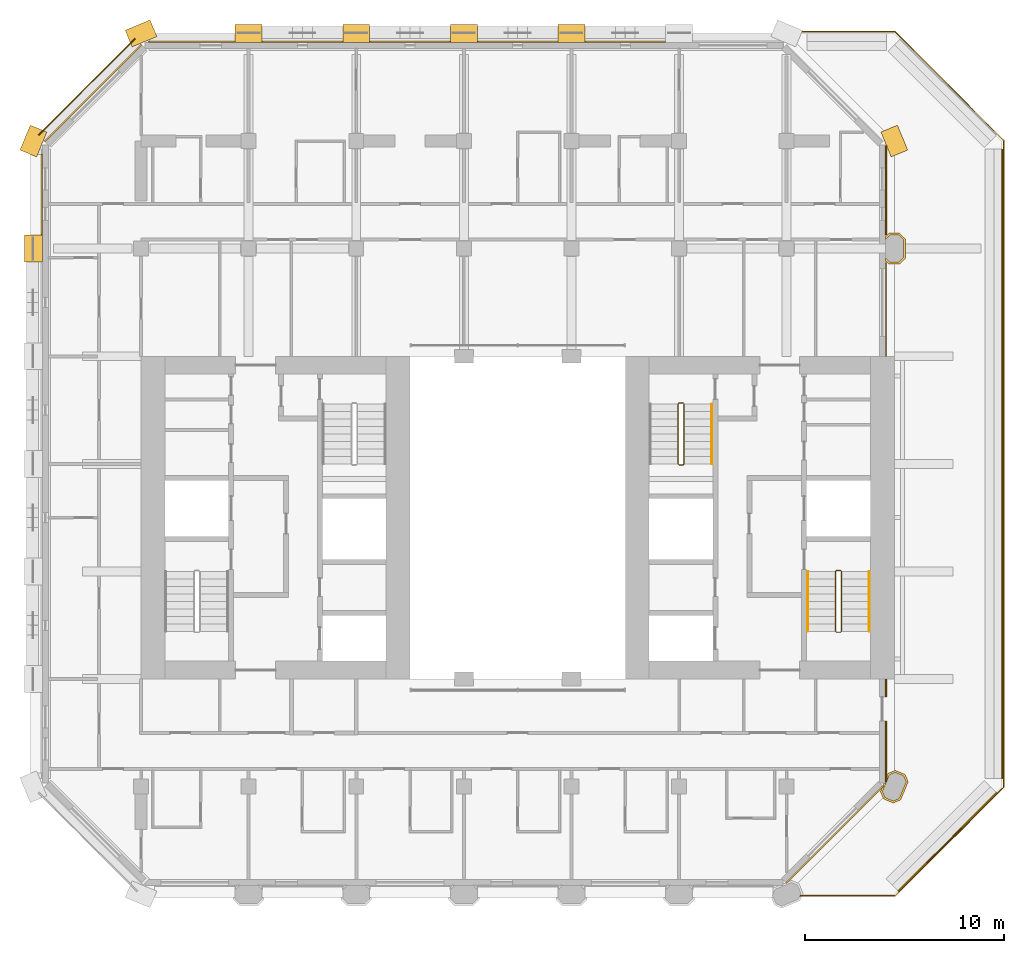
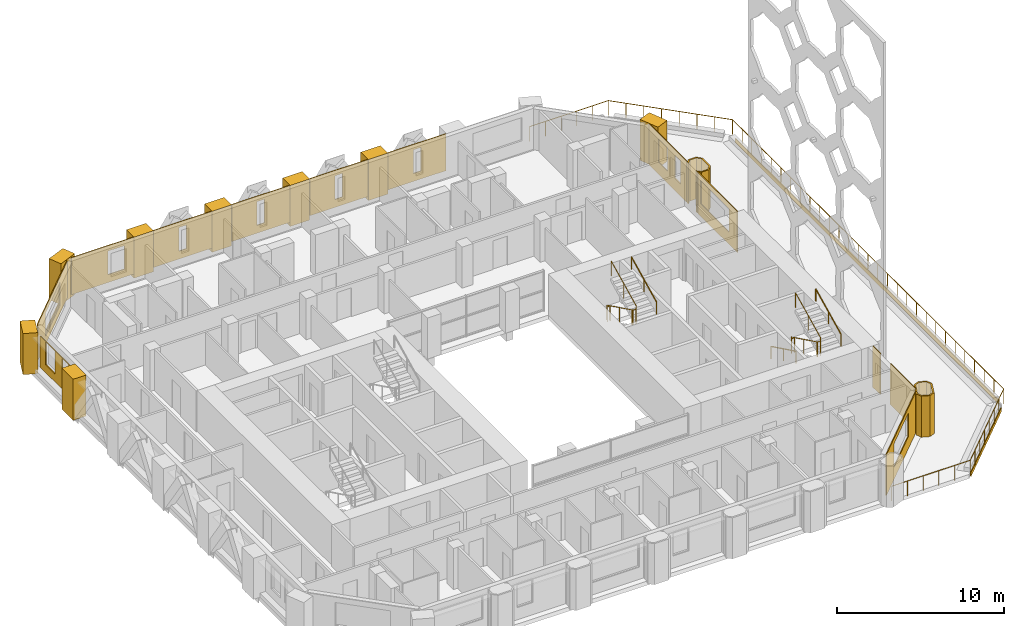
# One storey, part 14 of 15: 25 coverings, 6 railings.
"""IFC4 building model written with IfcOpenShell, lengths in metres."""

from ifc_helpers import new_model, si_unit, direction, frame, frame_2d, origin, origin_2d, place, context, subcontext, project, spatial, polyline, rectangle, circle, outline, extrude, material, layer, layer_set, type_object, element, save


model = new_model("IFC4")

# Units and contexts
model_context = context("Model", 3, precision=1e-05, world=origin(), true_north=direction((0.0, 1.0)))
body_context = subcontext(model_context, "Body", "Model", "MODEL_VIEW")
ifc_project = project(units=[si_unit("LENGTHUNIT", "METRE"), si_unit("AREAUNIT", "SQUARE_METRE"), si_unit("VOLUMEUNIT", "CUBIC_METRE"), si_unit("PLANEANGLEUNIT", "RADIAN"), si_unit("MASSUNIT", "GRAM", prefix="KILO")], contexts=[model_context])

# Site, building, storey
site_placement = place(None, origin())
site = spatial("IfcSite", under=ifc_project, at=site_placement, CompositionType="ELEMENT")
building_placement = place(site_placement, origin())
building = spatial("IfcBuilding", under=site, at=building_placement, Name="Tabaq Tower and Sports Hall", CompositionType="ELEMENT")
storey_placement = place(building_placement, frame((0.0, 0.0, 207.10009765625)))
storey = spatial("IfcBuildingStorey", under=building, at=storey_placement, Name="L51", CompositionType="ELEMENT", Elevation=207.10009765625)

# Coverings
ifc_material_1 = material(Name="Precast concrete C60/75", Category="concrete")
ifc_layer_1 = layer(ifc_material_1, 0.10009765625)
ifc_layer_set_1 = layer_set([ifc_layer_1], Name="Column cladding 100")
covering_type_1 = type_object("IfcCoveringType", Name="Column cladding 100", PredefinedType="CLADDING", material=ifc_layer_set_1)
covering_1_placement = place(storey_placement, origin())
element("IfcCovering", 1, at=covering_1_placement, inside=storey, type_object=covering_type_1, Name="Column cladding L51 PC-9C-H3", PredefinedType="CLADDING", context=body_context, shape_type="SweptSolid", body=[
    extrude(outline(polyline([(42.657470703125, 10.186279296875), (42.504150390625, 10.556396484375), (42.573974609375, 10.72509765625), (42.64990234375, 10.801025390625), (42.618408203125, 10.83251953125), (42.68212890625, 10.986083984375), (42.750244140625, 10.986083984375), (42.750244140625, 11.04296875), (42.810302734375, 11.04296875), (42.810302734375, 11.295654296875), (42.880126953125, 11.46435546875), (43.25048828125, 11.61767578125), (43.742431640625, 11.413818359375), (43.895751953125, 11.04345703125), (43.519775390625, 10.1357421875), (43.149658203125, 9.982421875), (42.657470703125, 10.186279296875)]), holes=[polyline([(43.66650390625, 11.337646484375), (43.25048828125, 11.510009765625), (42.956298828125, 11.38818359375), (42.61181640625, 10.556396484375), (42.733642578125, 10.26220703125), (43.149658203125, 10.08984375), (43.44384765625, 10.2119140625), (43.788330078125, 11.04345703125), (43.66650390625, 11.337646484375)])]), origin(), (0.0, 0.0, 1.0), 3.0),
])
covering_2_placement = place(storey_placement, origin())
element("IfcCovering", 2, at=covering_2_placement, inside=storey, type_object=covering_type_1, Name="Column cladding L51 PC-9H-H3", PredefinedType="CLADDING", context=body_context, shape_type="SweptSolid", body=[
    extrude(outline(polyline([(42.93359375, 37.025390625), (42.750244140625, 37.208740234375), (42.750244140625, 37.349365234375), (42.974853515625, 37.124755859375), (43.425048828125, 37.124755859375), (43.650390625, 37.349853515625), (43.650390625, 38.250244140625), (43.425048828125, 38.475341796875), (42.974853515625, 38.475341796875), (42.750244140625, 38.250732421875), (42.750244140625, 38.391357421875), (42.93359375, 38.57470703125), (43.46630859375, 38.57470703125), (43.749755859375, 38.291259765625), (43.749755859375, 37.30859375), (43.46630859375, 37.025390625), (42.93359375, 37.025390625)])), origin(), (0.0, 0.0, 1.0), 3.0),
])
ifc_material_2 = material(Name="Precast concrete C60/75", Category="concrete")
ifc_layer_2 = layer(ifc_material_2, 0.06005859375)
ifc_layer_set_2 = layer_set([ifc_layer_2], Name="Edge beam cladding 60")
covering_type_2 = type_object("IfcCoveringType", Name="Edge beam cladding 60", PredefinedType="CLADDING", material=ifc_layer_set_2)
covering_3_placement = place(storey_placement, frame((43.39794921875, 5.5556640625, -0.300048828125), z_axis=(0.0, 0.0, 1.0), x_axis=(0.70712425809, 0.707089303851, 0.0)))
element("IfcCovering", 3, at=covering_3_placement, inside=storey, type_object=covering_type_2, Name="Edge beam cladding L51 5", PredefinedType="CLADDING", context=body_context, shape_type="SweptSolid", body=[
    extrude(rectangle(XDim=6.984619140625, YDim=0.06005859375, at=frame_2d((3.4921875, 0.0))), origin(), (0.0, 0.0, 1.0), 0.300048828125),
])
covering_4_placement = place(storey_placement, frame((48.6298828125, 11.2021484375, -0.300048828125), z_axis=(0.0, 0.0, 1.0), x_axis=(0.0, 1.0, 0.0)))
element("IfcCovering", 4, at=covering_4_placement, inside=storey, type_object=covering_type_2, Name="Edge beam cladding L51 6", PredefinedType="CLADDING", context=body_context, shape_type="SweptSolid", body=[
    extrude(rectangle(XDim=31.595703125, YDim=0.06005859375, at=frame_2d((15.7978515625, 0.0))), origin(), (0.0, 0.0, 1.0), 0.300048828125),
])
covering_5_placement = place(storey_placement, frame((5.094482421875, 48.3369140625, -0.300048828125), z_axis=(0.0, 0.0, 1.0), x_axis=(-0.707106781187, -0.707106781187, 0.0)))
element("IfcCovering", 5, at=covering_5_placement, inside=storey, type_object=covering_type_2, Name="Edge beam cladding L51 2", PredefinedType="CLADDING", context=body_context, shape_type="SweptSolid", body=[
    extrude(rectangle(XDim=6.83251953125, YDim=0.06005859375, at=frame_2d((3.416259765625, 0.0))), origin(), (0.0, 0.0, 1.0), 0.300048828125),
])

# Railing
ifc_material_3 = material(Name="Stainless steel S316 and laminated glass", Category="steel")
railing_type_1 = type_object("IfcRailingType", Name="Guard 1100 steel and glass", PredefinedType="GUARDRAIL", material=ifc_material_3)
railing_1_placement = place(storey_placement, frame((37.800048828125, 48.679931640625, 0.0)))
element("IfcRailing", 6, at=railing_1_placement, inside=storey, type_object=railing_type_1, Name="Terrace guard L51", PredefinedType="GUARDRAIL", context=body_context, shape_type="SweptSolid", body=[
    extrude(circle(Radius=0.02490234375, at=origin_2d()), frame((0.0, 0.0, 1.0751953125), z_axis=(1.0, 0.0, 0.0), x_axis=(0.0, 1.0, 0.0)), (0.0, 0.0, 1.0), 5.43310546875),
    extrude(circle(Radius=0.02490234375, at=origin_2d()), frame((5.43310546875, 0.0, 1.0751953125), z_axis=(0.707106781187, -0.707106781187, 0.0), x_axis=(0.707106781187, 0.707106781187, 0.0)), (0.0, 0.0, 1.0), 7.702880859375),
    extrude(circle(Radius=0.02490234375, at=origin_2d()), frame((10.8798828125, -5.44677734375, 1.0751953125), z_axis=(0.0, -1.0, 0.0), x_axis=(1.0, 0.0, 0.0)), (0.0, 0.0, 1.0), 32.46630859375),
    extrude(circle(Radius=0.02490234375, at=origin_2d()), frame((10.8798828125, -37.9130859375, 1.0751953125), z_axis=(-0.707106781187, -0.707106781187, 0.0), x_axis=(0.707106781187, -0.707106781187, 0.0)), (0.0, 0.0, 1.0), 7.702880859375),
    extrude(circle(Radius=0.02490234375, at=origin_2d()), frame((5.43310546875, -43.35986328125, 1.0751953125), z_axis=(-1.0, 0.0, 0.0), x_axis=(0.0, -1.0, 0.0)), (0.0, 0.0, 1.0), 5.43310546875),
    extrude(circle(Radius=0.02001953125, at=origin_2d()), origin(), (0.0, 0.0, 1.0), 1.050048828125),
    extrude(circle(Radius=0.02001953125, at=origin_2d()), frame((1.086669921875, 0.0, 0.0)), (0.0, 0.0, 1.0), 1.050048828125),
    extrude(circle(Radius=0.02001953125, at=origin_2d()), frame((2.17333984375, 0.0, 0.0)), (0.0, 0.0, 1.0), 1.050048828125),
    extrude(circle(Radius=0.02001953125, at=origin_2d()), frame((3.259765625, 0.0, 0.0)), (0.0, 0.0, 1.0), 1.050048828125),
    extrude(circle(Radius=0.02001953125, at=origin_2d()), frame((4.346435546875, 0.0, 0.0)), (0.0, 0.0, 1.0), 1.050048828125),
    extrude(circle(Radius=0.02001953125, at=origin_2d()), frame((5.43310546875, 0.0, 0.0)), (0.0, 0.0, 1.0), 1.050048828125),
    extrude(circle(Radius=0.02001953125, at=origin_2d()), frame((6.211181640625, -0.778076171875, 0.0)), (0.0, 0.0, 1.0), 1.050048828125),
    extrude(circle(Radius=0.02001953125, at=origin_2d()), frame((6.9892578125, -1.55615234375, 0.0)), (0.0, 0.0, 1.0), 1.050048828125),
    extrude(circle(Radius=0.02001953125, at=origin_2d()), frame((7.767333984375, -2.334228515625, 0.0)), (0.0, 0.0, 1.0), 1.050048828125),
    extrude(circle(Radius=0.02001953125, at=origin_2d()), frame((8.545654296875, -3.112548828125, 0.0)), (0.0, 0.0, 1.0), 1.050048828125),
    extrude(circle(Radius=0.02001953125, at=origin_2d()), frame((9.32373046875, -3.890625, 0.0)), (0.0, 0.0, 1.0), 1.050048828125),
    extrude(circle(Radius=0.02001953125, at=origin_2d()), frame((10.101806640625, -4.668701171875, 0.0)), (0.0, 0.0, 1.0), 1.050048828125),
    extrude(circle(Radius=0.02001953125, at=origin_2d()), frame((10.8798828125, -5.44677734375, 0.0)), (0.0, 0.0, 1.0), 1.050048828125),
    extrude(circle(Radius=0.02001953125, at=origin_2d()), frame((10.8798828125, -6.606201171875, 0.0)), (0.0, 0.0, 1.0), 1.050048828125),
    extrude(circle(Radius=0.02001953125, at=origin_2d()), frame((10.8798828125, -7.765869140625, 0.0)), (0.0, 0.0, 1.0), 1.050048828125),
    extrude(circle(Radius=0.02001953125, at=origin_2d()), frame((10.8798828125, -8.92529296875, 0.0)), (0.0, 0.0, 1.0), 1.050048828125),
    extrude(circle(Radius=0.02001953125, at=origin_2d()), frame((10.8798828125, -10.084716796875, 0.0)), (0.0, 0.0, 1.0), 1.050048828125),
    extrude(circle(Radius=0.02001953125, at=origin_2d()), frame((10.8798828125, -11.244384765625, 0.0)), (0.0, 0.0, 1.0), 1.050048828125),
    extrude(circle(Radius=0.02001953125, at=origin_2d()), frame((10.8798828125, -12.40380859375, 0.0)), (0.0, 0.0, 1.0), 1.050048828125),
    extrude(circle(Radius=0.02001953125, at=origin_2d()), frame((10.8798828125, -13.5634765625, 0.0)), (0.0, 0.0, 1.0), 1.050048828125),
    extrude(circle(Radius=0.02001953125, at=origin_2d()), frame((10.8798828125, -14.722900390625, 0.0)), (0.0, 0.0, 1.0), 1.050048828125),
    extrude(circle(Radius=0.02001953125, at=origin_2d()), frame((10.8798828125, -15.88232421875, 0.0)), (0.0, 0.0, 1.0), 1.050048828125),
    extrude(circle(Radius=0.02001953125, at=origin_2d()), frame((10.8798828125, -17.0419921875, 0.0)), (0.0, 0.0, 1.0), 1.050048828125),
    extrude(circle(Radius=0.02001953125, at=origin_2d()), frame((10.8798828125, -18.201416015625, 0.0)), (0.0, 0.0, 1.0), 1.050048828125),
    extrude(circle(Radius=0.02001953125, at=origin_2d()), frame((10.8798828125, -19.36083984375, 0.0)), (0.0, 0.0, 1.0), 1.050048828125),
    extrude(circle(Radius=0.02001953125, at=origin_2d()), frame((10.8798828125, -20.5205078125, 0.0)), (0.0, 0.0, 1.0), 1.050048828125),
    extrude(circle(Radius=0.02001953125, at=origin_2d()), frame((10.8798828125, -21.679931640625, 0.0)), (0.0, 0.0, 1.0), 1.050048828125),
    extrude(circle(Radius=0.02001953125, at=origin_2d()), frame((10.8798828125, -22.83935546875, 0.0)), (0.0, 0.0, 1.0), 1.050048828125),
    extrude(circle(Radius=0.02001953125, at=origin_2d()), frame((10.8798828125, -23.9990234375, 0.0)), (0.0, 0.0, 1.0), 1.050048828125),
    extrude(circle(Radius=0.02001953125, at=origin_2d()), frame((10.8798828125, -25.158447265625, 0.0)), (0.0, 0.0, 1.0), 1.050048828125),
    extrude(circle(Radius=0.02001953125, at=origin_2d()), frame((10.8798828125, -26.31787109375, 0.0)), (0.0, 0.0, 1.0), 1.050048828125),
    extrude(circle(Radius=0.02001953125, at=origin_2d()), frame((10.8798828125, -27.4775390625, 0.0)), (0.0, 0.0, 1.0), 1.050048828125),
    extrude(circle(Radius=0.02001953125, at=origin_2d()), frame((10.8798828125, -28.636962890625, 0.0)), (0.0, 0.0, 1.0), 1.050048828125),
    extrude(circle(Radius=0.02001953125, at=origin_2d()), frame((10.8798828125, -29.79638671875, 0.0)), (0.0, 0.0, 1.0), 1.050048828125),
    extrude(circle(Radius=0.02001953125, at=origin_2d()), frame((10.8798828125, -30.9560546875, 0.0)), (0.0, 0.0, 1.0), 1.050048828125),
    extrude(circle(Radius=0.02001953125, at=origin_2d()), frame((10.8798828125, -32.115478515625, 0.0)), (0.0, 0.0, 1.0), 1.050048828125),
    extrude(circle(Radius=0.02001953125, at=origin_2d()), frame((10.8798828125, -33.275146484375, 0.0)), (0.0, 0.0, 1.0), 1.050048828125),
    extrude(circle(Radius=0.02001953125, at=origin_2d()), frame((10.8798828125, -34.4345703125, 0.0)), (0.0, 0.0, 1.0), 1.050048828125),
    extrude(circle(Radius=0.02001953125, at=origin_2d()), frame((10.8798828125, -35.593994140625, 0.0)), (0.0, 0.0, 1.0), 1.050048828125),
    extrude(circle(Radius=0.02001953125, at=origin_2d()), frame((10.8798828125, -36.753662109375, 0.0)), (0.0, 0.0, 1.0), 1.050048828125),
    extrude(circle(Radius=0.02001953125, at=origin_2d()), frame((10.8798828125, -37.9130859375, 0.0)), (0.0, 0.0, 1.0), 1.050048828125),
    extrude(circle(Radius=0.02001953125, at=origin_2d()), frame((10.101806640625, -38.691162109375, 0.0)), (0.0, 0.0, 1.0), 1.050048828125),
    extrude(circle(Radius=0.02001953125, at=origin_2d()), frame((9.32373046875, -39.46923828125, 0.0)), (0.0, 0.0, 1.0), 1.050048828125),
    extrude(circle(Radius=0.02001953125, at=origin_2d()), frame((8.545654296875, -40.247314453125, 0.0)), (0.0, 0.0, 1.0), 1.050048828125),
    extrude(circle(Radius=0.02001953125, at=origin_2d()), frame((7.767333984375, -41.025634765625, 0.0)), (0.0, 0.0, 1.0), 1.050048828125),
    extrude(circle(Radius=0.02001953125, at=origin_2d()), frame((6.9892578125, -41.8037109375, 0.0)), (0.0, 0.0, 1.0), 1.050048828125),
    extrude(circle(Radius=0.02001953125, at=origin_2d()), frame((6.211181640625, -42.581787109375, 0.0)), (0.0, 0.0, 1.0), 1.050048828125),
    extrude(circle(Radius=0.02001953125, at=origin_2d()), frame((5.43310546875, -43.35986328125, 0.0)), (0.0, 0.0, 1.0), 1.050048828125),
    extrude(circle(Radius=0.02001953125, at=origin_2d()), frame((4.346435546875, -43.35986328125, 0.0)), (0.0, 0.0, 1.0), 1.050048828125),
    extrude(circle(Radius=0.02001953125, at=origin_2d()), frame((3.259765625, -43.35986328125, 0.0)), (0.0, 0.0, 1.0), 1.050048828125),
    extrude(circle(Radius=0.02001953125, at=origin_2d()), frame((2.17333984375, -43.35986328125, 0.0)), (0.0, 0.0, 1.0), 1.050048828125),
    extrude(circle(Radius=0.02001953125, at=origin_2d()), frame((1.086669921875, -43.35986328125, 0.0)), (0.0, 0.0, 1.0), 1.050048828125),
    extrude(circle(Radius=0.02001953125, at=origin_2d()), frame((0.0, -43.35986328125, 0.0)), (0.0, 0.0, 1.0), 1.050048828125),
])

# Coverings
ifc_material_4 = material(Name="White precast concrete C60/75", Category="concrete")
covering_type_3 = type_object("IfcCoveringType", Name="Pier cladding hung 1350x900", PredefinedType="CLADDING", material=ifc_material_4)
for number, where, z_axis, x_axis, name in (
    (7, (0.0, 38.47509765625, 0.0), (0.0, 0.0, 1.0), (0.0, -1.0, 0.0), "Hung pier cladding 0/7"),
    (8, (0.25830078125, 43.82373046875, 0.0), (0.0, 0.0, 1.0), (-0.382649923473, -0.923893411637, 0.0), "Hung pier cladding 0/8"),
    (9, (6.023681640625, 48.8583984375, 0.0), (0.0, 0.0, 1.0), (-0.923893411637, -0.382649923473, 0.0), "Hung pier cladding 1/9"),
    (10, (11.47509765625, 48.60009765625, 0.0), (0.0, 0.0, 1.0), (-1.0, 0.0, 0.0), "Hung pier cladding 2/9"),
    (11, (16.875, 48.60009765625, 0.0), (0.0, 0.0, 1.0), (-1.0, 0.0, 0.0), "Hung pier cladding 3/9"),
):
    element("IfcCovering", number, at=place(storey_placement, frame(where, z_axis=z_axis, x_axis=x_axis)), inside=storey, type_object=covering_type_3, Name=name, PredefinedType="CLADDING", context=body_context, shape_type="SweptSolid", body=[
        extrude(rectangle(XDim=1.35009765625, YDim=0.89990234375, at=frame_2d((0.675048828125, 0.0))), origin(), (0.0, 0.0, 1.0), 3.0),
    ])
covering_6_placement = place(storey_placement, frame((22.27490234375, 48.60009765625, 0.0), z_axis=(0.0, 0.0, 1.0), x_axis=(-1.0, 0.0, 0.0)))
element("IfcCovering", 12, at=covering_6_placement, inside=storey, type_object=covering_type_3, Name="Hung pier cladding 4/9", PredefinedType="CLADDING", context=body_context, shape_type="SweptSolid", body=[
    extrude(rectangle(XDim=1.349853515625, YDim=0.89990234375, at=frame_2d((0.6748046875, 0.0))), origin(), (0.0, 0.0, 1.0), 3.0),
])
for number, where, z_axis, x_axis, name in (
    (13, (27.675048828125, 48.60009765625, 0.0), (0.0, 0.0, 1.0), (-1.0, 0.0, 0.0), "Hung pier cladding 5/9"),
    (14, (43.458251953125, 42.576416015625, 0.0), (0.0, 0.0, 1.0), (-0.382649923473, 0.923893411637, 0.0), "Hung pier cladding 8/8"),
):
    element("IfcCovering", number, at=place(storey_placement, frame(where, z_axis=z_axis, x_axis=x_axis)), inside=storey, type_object=covering_type_3, Name=name, PredefinedType="CLADDING", context=body_context, shape_type="SweptSolid", body=[
        extrude(rectangle(XDim=1.35009765625, YDim=0.89990234375, at=frame_2d((0.675048828125, 0.0))), origin(), (0.0, 0.0, 1.0), 3.0),
    ])

# Railings
ifc_material_5 = material(Name="Stainless steel", Category="steel")
railing_type_2 = type_object("IfcRailingType", Name="Stair guard", PredefinedType="GUARDRAIL", material=ifc_material_5)
railing_2_placement = place(storey_placement, frame((40.5, 21.64990234375, 0.0)))
element("IfcRailing", 15, at=railing_2_placement, inside=storey, type_object=railing_type_2, Name="L51 ST3 stair guard 1", PredefinedType="GUARDRAIL", context=body_context, shape_type="SweptSolid", body=[
    extrude(circle(Radius=0.02392578125, at=origin_2d()), frame((0.0, 0.0, 1.076171875), z_axis=(-1.0, 0.0, 0.0), x_axis=(0.0, -1.0, 0.0)), (0.0, 0.0, 1.0), 0.199951171875),
    extrude(circle(Radius=0.02392578125, at=origin_2d()), frame((-0.199951171875, 0.0, 1.076171875), z_axis=(-0.254733673405, -0.25349107012, 0.933195066962), x_axis=(0.705375805398, -0.708833529934, 0.0)), (0.0, 0.0, 1.0), 0.196533203125),
    extrude(circle(Radius=0.02392578125, at=origin_2d()), frame((-0.25, -0.0498046875, 1.25927734375), z_axis=(0.0, -0.898397823093, 0.439182594671), x_axis=(1.0, 0.0, 0.0)), (0.0, 0.0, 1.0), 3.33935546875),
    extrude(circle(Radius=0.02392578125, at=origin_2d()), frame((-0.25, -3.0498046875, 2.72607421875), z_axis=(0.707106781187, -0.707106781187, 0.0), x_axis=(0.707106781187, 0.707106781187, 0.0)), (0.0, 0.0, 1.0), 0.07080078125),
    extrude(circle(Radius=0.02392578125, at=origin_2d()), frame((-0.199951171875, -3.099853515625, 2.72607421875), z_axis=(1.0, 0.0, 0.0), x_axis=(0.0, 1.0, 0.0)), (0.0, 0.0, 1.0), 0.199951171875),
    extrude(circle(Radius=0.02392578125, at=origin_2d()), frame((0.0, -3.099853515625, 2.72607421875), z_axis=(0.254653276557, 0.254653276557, 0.932900539971), x_axis=(-0.707106781187, 0.707106781187, 0.0)), (0.0, 0.0, 1.0), 0.196533203125),
    extrude(circle(Radius=0.02392578125, at=origin_2d()), frame((0.050048828125, -3.0498046875, 2.9091796875), z_axis=(0.0, 0.898397823093, 0.439182594671), x_axis=(-1.0, 0.0, 0.0)), (0.0, 0.0, 1.0), 3.33935546875),
    extrude(circle(Radius=0.02099609375, at=origin_2d()), origin(), (0.0, 0.0, 1.0), 1.052001953125),
    extrude(circle(Radius=0.02099609375, at=origin_2d()), frame((-0.199951171875, 0.0, 0.0)), (0.0, 0.0, 1.0), 1.052001953125),
    extrude(circle(Radius=0.02099609375, at=origin_2d()), frame((-0.25, -0.0498046875, 0.183349609375)), (0.0, 0.0, 1.0), 1.052001953125),
    extrude(circle(Radius=0.02099609375, at=origin_2d()), frame((-0.25, -1.5498046875, 0.91650390625)), (0.0, 0.0, 1.0), 1.052001953125),
    extrude(circle(Radius=0.02099609375, at=origin_2d()), frame((-0.25, -3.0498046875, 1.64990234375)), (0.0, 0.0, 1.0), 1.052001953125),
    extrude(circle(Radius=0.02099609375, at=origin_2d()), frame((-0.199951171875, -3.099853515625, 1.64990234375)), (0.0, 0.0, 1.0), 1.052001953125),
    extrude(circle(Radius=0.02099609375, at=origin_2d()), frame((0.0, -3.099853515625, 1.64990234375)), (0.0, 0.0, 1.0), 1.052001953125),
    extrude(circle(Radius=0.02099609375, at=origin_2d()), frame((0.050048828125, -3.0498046875, 1.833251953125)), (0.0, 0.0, 1.0), 1.052001953125),
    extrude(circle(Radius=0.02099609375, at=origin_2d()), frame((0.050048828125, -1.5498046875, 2.56640625)), (0.0, 0.0, 1.0), 1.052001953125),
    extrude(circle(Radius=0.02099609375, at=origin_2d()), frame((0.050048828125, -0.0498046875, 3.2998046875)), (0.0, 0.0, 1.0), 1.052001953125),
])
railing_3_placement = place(storey_placement, frame((32.60009765625, 30.050048828125, 0.0)))
element("IfcRailing", 16, at=railing_3_placement, inside=storey, type_object=railing_type_2, Name="L51 ST4 stair guard 1", PredefinedType="GUARDRAIL", context=body_context, shape_type="SweptSolid", body=[
    extrude(circle(Radius=0.02392578125, at=origin_2d()), frame((0.0, 0.0, 1.076171875), z_axis=(-1.0, 0.0, 0.0), x_axis=(0.0, -1.0, 0.0)), (0.0, 0.0, 1.0), 0.2001953125),
    extrude(circle(Radius=0.02392578125, at=origin_2d()), frame((-0.2001953125, 0.0, 1.076171875), z_axis=(-0.25349107012, -0.254733673405, 0.933195066962), x_axis=(0.708833529934, -0.705375805398, 0.0)), (0.0, 0.0, 1.0), 0.196533203125),
    extrude(circle(Radius=0.02392578125, at=origin_2d()), frame((-0.25, -0.050048828125, 1.25927734375), z_axis=(0.0, -0.898397823093, 0.439182594671), x_axis=(1.0, 0.0, 0.0)), (0.0, 0.0, 1.0), 3.33935546875),
    extrude(circle(Radius=0.02392578125, at=origin_2d()), frame((-0.25, -3.050048828125, 2.72607421875), z_axis=(0.705375805398, -0.708833529934, 0.0), x_axis=(0.708833529934, 0.705375805398, 0.0)), (0.0, 0.0, 1.0), 0.070556640625),
    extrude(circle(Radius=0.02392578125, at=origin_2d()), frame((-0.2001953125, -3.10009765625, 2.72607421875), z_axis=(1.0, 0.0, 0.0), x_axis=(0.0, 1.0, 0.0)), (0.0, 0.0, 1.0), 0.2001953125),
    extrude(circle(Radius=0.02392578125, at=origin_2d()), frame((0.0, -3.10009765625, 2.72607421875), z_axis=(0.25349107012, 0.254733673405, 0.933195066962), x_axis=(-0.708833529934, 0.705375805398, 0.0)), (0.0, 0.0, 1.0), 0.196533203125),
    extrude(circle(Radius=0.02392578125, at=origin_2d()), frame((0.0498046875, -3.050048828125, 2.9091796875), z_axis=(0.0, 0.898397823093, 0.439182594671), x_axis=(-1.0, 0.0, 0.0)), (0.0, 0.0, 1.0), 3.33935546875),
    extrude(circle(Radius=0.02099609375, at=origin_2d()), origin(), (0.0, 0.0, 1.0), 1.052001953125),
    extrude(circle(Radius=0.02099609375, at=origin_2d()), frame((-0.2001953125, 0.0, 0.0)), (0.0, 0.0, 1.0), 1.052001953125),
    extrude(circle(Radius=0.02099609375, at=origin_2d()), frame((-0.25, -0.050048828125, 0.183349609375)), (0.0, 0.0, 1.0), 1.052001953125),
    extrude(circle(Radius=0.02099609375, at=origin_2d()), frame((-0.25, -1.550048828125, 0.91650390625)), (0.0, 0.0, 1.0), 1.052001953125),
    extrude(circle(Radius=0.02099609375, at=origin_2d()), frame((-0.25, -3.050048828125, 1.64990234375)), (0.0, 0.0, 1.0), 1.052001953125),
    extrude(circle(Radius=0.02099609375, at=origin_2d()), frame((-0.2001953125, -3.10009765625, 1.64990234375)), (0.0, 0.0, 1.0), 1.052001953125),
    extrude(circle(Radius=0.02099609375, at=origin_2d()), frame((0.0, -3.10009765625, 1.64990234375)), (0.0, 0.0, 1.0), 1.052001953125),
    extrude(circle(Radius=0.02099609375, at=origin_2d()), frame((0.0498046875, -3.050048828125, 1.833251953125)), (0.0, 0.0, 1.0), 1.052001953125),
    extrude(circle(Radius=0.02099609375, at=origin_2d()), frame((0.0498046875, -1.550048828125, 2.56640625)), (0.0, 0.0, 1.0), 1.052001953125),
    extrude(circle(Radius=0.02099609375, at=origin_2d()), frame((0.0498046875, -0.050048828125, 3.2998046875)), (0.0, 0.0, 1.0), 1.052001953125),
])
ifc_material_6 = material(Name="Stainless steel", Category="steel")
railing_type_3 = type_object("IfcRailingType", Name="Stair handrail", PredefinedType="HANDRAIL", material=ifc_material_6)
railing_4_placement = place(storey_placement, frame((38.85009765625, 21.60009765625, 0.183349609375)))
element("IfcRailing", 17, at=railing_4_placement, inside=storey, type_object=railing_type_3, Name="L51 ST3 stair handrail 1", PredefinedType="HANDRAIL", context=body_context, shape_type="SweptSolid", body=[
    extrude(circle(Radius=0.02392578125, at=origin_2d()), frame((0.0, 0.0, 0.8759765625), z_axis=(0.0, -0.898397823093, 0.439182594671), x_axis=(1.0, 0.0, 0.0)), (0.0, 0.0, 1.0), 3.33935546875),
    extrude(circle(Radius=0.02099609375, at=origin_2d()), origin(), (0.0, 0.0, 1.0), 0.851806640625),
    extrude(circle(Radius=0.02099609375, at=origin_2d()), frame((0.0, -1.5, 0.7333984375)), (0.0, 0.0, 1.0), 0.851806640625),
    extrude(circle(Radius=0.02099609375, at=origin_2d()), frame((0.0, -3.0, 1.466552734375)), (0.0, 0.0, 1.0), 0.851806640625),
])
for number, where, name in (
    (18, (41.949951171875, 18.60009765625, 1.833251953125), "L51 ST3 stair handrail 2"),
    (19, (34.050048828125, 27.0, 1.833251953125), "L51 ST4 stair handrail 2"),
):
    element("IfcRailing", number, at=place(storey_placement, frame(where)), inside=storey, type_object=railing_type_3, Name=name, PredefinedType="HANDRAIL", context=body_context, shape_type="SweptSolid", body=[
        extrude(circle(Radius=0.02392578125, at=origin_2d()), frame((0.0, 0.0, 0.8759765625), z_axis=(0.0, 0.898397823093, 0.439182594671), x_axis=(-1.0, 0.0, 0.0)), (0.0, 0.0, 1.0), 3.33935546875),
        extrude(circle(Radius=0.02099609375, at=origin_2d()), origin(), (0.0, 0.0, 1.0), 0.851806640625),
        extrude(circle(Radius=0.02099609375, at=origin_2d()), frame((0.0, 1.5, 0.7333984375)), (0.0, 0.0, 1.0), 0.851806640625),
        extrude(circle(Radius=0.02099609375, at=origin_2d()), frame((0.0, 3.0, 1.466552734375)), (0.0, 0.0, 1.0), 0.851806640625),
    ])

# Coverings
ifc_material_7 = material(Name="Precast concrete C60/75", Category="concrete")
ifc_layer_3 = layer(ifc_material_7, 0.06005859375)
ifc_layer_set_3 = layer_set([ifc_layer_3], Name="White precast cladding panel 60 C60/75")
covering_type_4 = type_object("IfcCoveringType", Name="White precast cladding panel 60 C60/75", PredefinedType="CLADDING", material=ifc_layer_set_3)
covering_7_placement = place(storey_placement, frame((37.77783203125, 5.9716796875, 0.0), z_axis=(0.0, 0.0, 1.0), x_axis=(0.707088985397, 0.707124576528, 0.0)))
element("IfcCovering", 20, at=covering_7_placement, inside=storey, type_object=covering_type_4, Name="White precast cladding panel L51 wall01", PredefinedType="CLADDING", context=body_context, shape_type="SweptSolid", body=[
    extrude(outline(polyline([(0.0, 0.0), (6.859619140625, 0.0), (6.859619140625, 3.0), (0.0, 3.0), (0.0, 0.0)]), holes=[polyline([(1.7197265625, 0.889892578125), (1.7197265625, 2.60986328125), (5.139892578125, 2.60986328125), (5.139892578125, 0.889892578125), (1.7197265625, 0.889892578125)])]), frame((0.0, 0.030029296875, 0.0), z_axis=(0.0, -1.0, 0.0), x_axis=(1.0, 0.0, 0.0)), (0.0, 0.0, 1.0), 0.06005859375),
])
covering_8_placement = place(storey_placement, frame((42.780029296875, 11.043212890625, 0.0), z_axis=(0.0, 0.0, 1.0), x_axis=(0.0, 1.0, 0.0)))
element("IfcCovering", 21, at=covering_8_placement, inside=storey, type_object=covering_type_4, Name="White precast cladding panel L51 wall02", PredefinedType="CLADDING", context=body_context, shape_type="SweptSolid", body=[
    extrude(rectangle(XDim=3.046875, YDim=0.06005859375, at=frame_2d((1.5234375, 0.0))), origin(), (0.0, 0.0, 1.0), 3.0),
])
covering_9_placement = place(storey_placement, frame((42.780029296875, 15.31005859375, 0.0), z_axis=(0.0, 0.0, 1.0), x_axis=(0.0, 1.0, 0.0)))
element("IfcCovering", 22, at=covering_9_placement, inside=storey, type_object=covering_type_4, Name="White precast cladding panel L51 wall02 2", PredefinedType="CLADDING", context=body_context, shape_type="SweptSolid", body=[
    extrude(rectangle(XDim=0.889892578125, YDim=0.06005859375, at=frame_2d((0.44482421875, 0.0))), origin(), (0.0, 0.0, 1.0), 3.0),
])
covering_10_placement = place(storey_placement, frame((42.780029296875, 32.39990234375, 0.0), z_axis=(0.0, 0.0, 1.0), x_axis=(0.0, 1.0, 0.0)))
element("IfcCovering", 23, at=covering_10_placement, inside=storey, type_object=covering_type_4, Name="White precast cladding panel L51 wall02-1", PredefinedType="CLADDING", context=body_context, shape_type="SweptSolid", body=[
    extrude(outline(polyline([(0.0, 0.0), (4.715087890625, 0.0), (4.715087890625, 3.0), (0.0, 3.0), (0.0, 0.0)]), holes=[polyline([(0.989990234375, 0.889892578125), (0.989990234375, 2.60986328125), (4.409912109375, 2.60986328125), (4.409912109375, 0.889892578125), (0.989990234375, 0.889892578125)])]), frame((0.0, 0.030029296875, 0.0), z_axis=(0.0, -1.0, 0.0), x_axis=(1.0, 0.0, 0.0)), (0.0, 0.0, 1.0), 0.06005859375),
])
covering_11_placement = place(storey_placement, frame((42.780029296875, 38.485107421875, 0.0), z_axis=(0.0, 0.0, 1.0), x_axis=(0.0, 1.0, 0.0)))
element("IfcCovering", 24, at=covering_11_placement, inside=storey, type_object=covering_type_4, Name="White precast cladding panel L51 wall02-1 2", PredefinedType="CLADDING", context=body_context, shape_type="SweptSolid", body=[
    extrude(outline(polyline([(0.0, 0.0), (4.4716796875, 0.0), (4.4716796875, 3.0), (0.0, 3.0), (0.0, 0.0)]), holes=[polyline([(0.72998046875, 2.60986328125), (1.39990234375, 2.60986328125), (1.39990234375, 0.889892578125), (0.72998046875, 0.889892578125), (0.72998046875, 2.60986328125)]), polyline([(2.2548828125, 2.60986328125), (3.375, 2.60986328125), (3.375, 0.889892578125), (2.2548828125, 0.889892578125), (2.2548828125, 2.60986328125)])]), frame((0.0, 0.030029296875, 0.0), z_axis=(0.0, -1.0, 0.0), x_axis=(1.0, 0.0, 0.0)), (0.0, 0.0, 1.0), 0.06005859375),
])
for number, where, z_axis, x_axis, name in (
    (25, (31.715087890625, 48.179931640625, 0.309814453125), (0.0, 0.0, 1.0), (-1.0, 0.0, 0.0), "White precast cladding panel L51 wall04 2"),
    (26, (26.31494140625, 48.179931640625, 0.309814453125), (0.0, 0.0, 1.0), (-1.0, 0.0, 0.0), "White precast cladding panel L51 wall04 3"),
    (27, (20.9150390625, 48.179931640625, 0.309814453125), (0.0, 0.0, 1.0), (-1.0, 0.0, 0.0), "White precast cladding panel L51 wall04 4"),
):
    element("IfcCovering", number, at=place(storey_placement, frame(where, z_axis=z_axis, x_axis=x_axis)), inside=storey, type_object=covering_type_4, Name=name, PredefinedType="CLADDING", context=body_context, shape_type="SweptSolid", body=[
        extrude(outline(polyline([(0.0, 0.0), (4.030029296875, 0.0), (4.030029296875, 2.690185546875), (0.0, 2.690185546875), (0.0, 0.0)]), holes=[polyline([(1.7548828125, 0.580078125), (1.7548828125, 2.300048828125), (2.27490234375, 2.300048828125), (2.27490234375, 0.580078125), (1.7548828125, 0.580078125)])]), frame((0.0, 0.030029296875, 0.0), z_axis=(0.0, -1.0, 0.0), x_axis=(1.0, 0.0, 0.0)), (0.0, 0.0, 1.0), 0.06005859375),
    ])
covering_12_placement = place(storey_placement, frame((15.514892578125, 48.179931640625, 0.309814453125), z_axis=(0.0, 0.0, 1.0), x_axis=(-1.0, 0.0, 0.0)))
element("IfcCovering", 28, at=covering_12_placement, inside=storey, type_object=covering_type_4, Name="White precast cladding panel L51 wall04 5", PredefinedType="CLADDING", context=body_context, shape_type="SweptSolid", body=[
    extrude(outline(polyline([(0.0, 0.0), (4.02978515625, 0.0), (4.02978515625, 2.690185546875), (0.0, 2.690185546875), (0.0, 0.0)]), holes=[polyline([(1.7548828125, 0.580078125), (1.7548828125, 2.300048828125), (2.27490234375, 2.300048828125), (2.27490234375, 0.580078125), (1.7548828125, 0.580078125)])]), frame((0.0, 0.030029296875, 0.0), z_axis=(0.0, -1.0, 0.0), x_axis=(1.0, 0.0, 0.0)), (0.0, 0.0, 1.0), 0.06005859375),
])
covering_13_placement = place(storey_placement, frame((10.114990234375, 48.179931640625, 0.309814453125), z_axis=(0.0, 0.0, 1.0), x_axis=(-1.0, 0.0, 0.0)))
element("IfcCovering", 29, at=covering_13_placement, inside=storey, type_object=covering_type_4, Name="White precast cladding panel L51 wall04 6", PredefinedType="CLADDING", context=body_context, shape_type="SweptSolid", body=[
    extrude(outline(polyline([(0.0, 0.0), (4.322998046875, 0.0), (4.322998046875, 2.690185546875), (0.0, 2.690185546875), (0.0, 0.0)]), holes=[polyline([(0.655029296875, 0.580078125), (0.655029296875, 2.300048828125), (1.77490234375, 2.300048828125), (1.77490234375, 0.580078125), (0.655029296875, 0.580078125)])]), frame((0.0, 0.030029296875, 0.0), z_axis=(0.0, -1.0, 0.0), x_axis=(1.0, 0.0, 0.0)), (0.0, 0.0, 1.0), 0.06005859375),
])
covering_14_placement = place(storey_placement, frame((5.419677734375, 48.02587890625, 0.309814453125), z_axis=(0.0, 0.0, 1.0), x_axis=(-0.707088967465, -0.70712459446, 0.0)))
element("IfcCovering", 30, at=covering_14_placement, inside=storey, type_object=covering_type_4, Name="White precast cladding panel L51 wall05", PredefinedType="CLADDING", context=body_context, shape_type="SweptSolid", body=[
    extrude(outline(polyline([(0.0, 0.0), (6.852783203125, 0.0), (6.852783203125, 2.690185546875), (0.0, 2.690185546875), (0.0, 0.0)]), holes=[polyline([(1.71630859375, 0.580078125), (1.71630859375, 2.300048828125), (5.13623046875, 2.300048828125), (5.13623046875, 0.580078125), (1.71630859375, 0.580078125)])]), frame((0.0, 0.030029296875, 0.0), z_axis=(0.0, -1.0, 0.0), x_axis=(1.0, 0.0, 0.0)), (0.0, 0.0, 1.0), 0.06005859375),
])
covering_15_placement = place(storey_placement, frame((0.419921875, 42.534912109375, 0.309814453125), z_axis=(0.0, 0.0, 1.0), x_axis=(0.0, -1.0, 0.0)))
element("IfcCovering", 31, at=covering_15_placement, inside=storey, type_object=covering_type_4, Name="White precast cladding panel L51 wall06", PredefinedType="CLADDING", context=body_context, shape_type="SweptSolid", body=[
    extrude(outline(polyline([(0.0, 0.0), (4.0498046875, 0.0), (4.0498046875, 2.280029296875), (0.0, 2.280029296875), (0.0, 0.0)]), holes=[polyline([(0.675048828125, 0.580078125), (0.675048828125, 2.25), (1.794921875, 2.25), (1.794921875, 0.580078125), (0.675048828125, 0.580078125)]), polyline([(2.64990234375, 0.580078125), (2.64990234375, 2.25), (3.320068359375, 2.25), (3.320068359375, 0.580078125), (2.64990234375, 0.580078125)])]), frame((0.0, 0.030029296875, 0.0), z_axis=(0.0, -1.0, 0.0), x_axis=(1.0, 0.0, 0.0)), (0.0, 0.0, 1.0), 0.06005859375),
])

save(model, "model.ifc")
